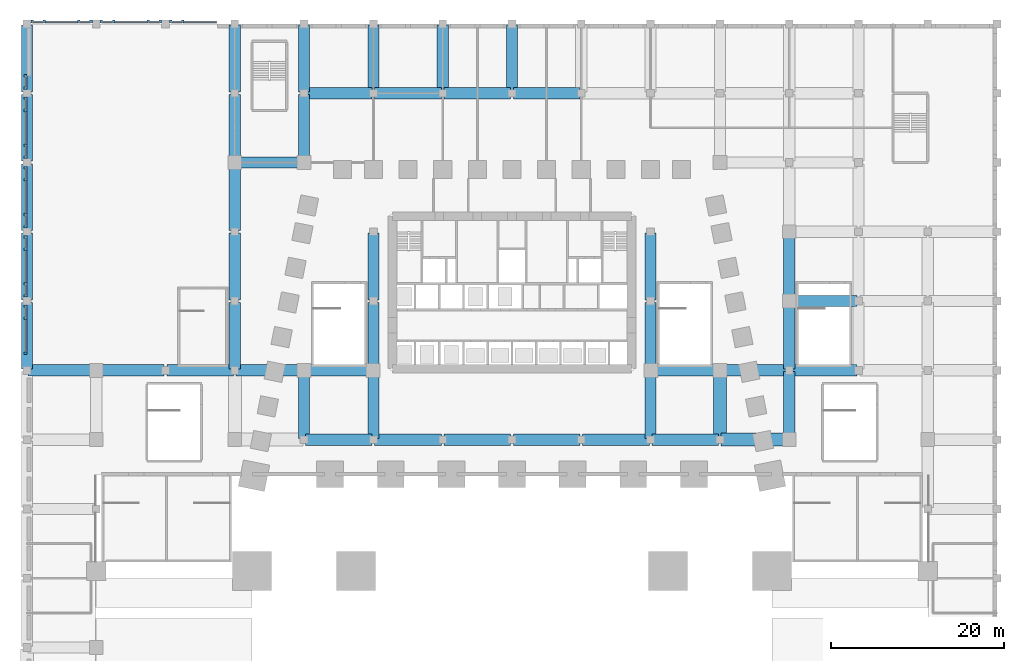
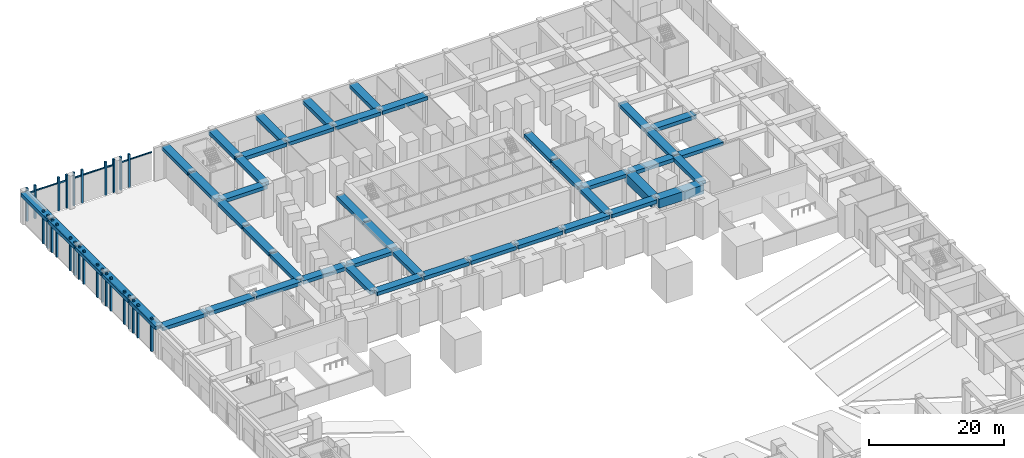
# One storey, part 2 of 28: 47 beams, 47 members, 8 elements without a shape of their own.
"""IFC4 building model written with IfcOpenShell, lengths in metres."""

import ifcopenshell
import ifcopenshell.guid

model = None  # the IFC model being written
_history = None  # IfcOwnerHistory: only IFC2X3 demands one
_inside = {}  # id of a spatial element -> (the spatial element, [elements in it])
_under = {}  # id of a project, library or spatial element -> (it, [spatial elements below it])
_declared = {}  # id of a project -> (the project, [libraries it declares])
_typed = {}  # id of a type object -> (the type object, [elements of that type])
_made_of = {}  # id of a material, layer set ... -> (it, [elements and type objects made of it])


def new_model(schema):
    """Start an empty IFC model of exactly this schema.

    Asked for "IFC4X3", IfcOpenShell would pick the latest addendum, in which some entities
    have other attributes; the version numbers below select the first issue.
    IFC2X3 requires an IfcOwnerHistory on every rooted entity: one is made here for all.
    """
    global model, _history
    if schema == "IFC4X3":
        model = ifcopenshell.file(schema_version=(4, 3, 0, 0))
    else:
        model = ifcopenshell.file(schema=schema)
    _inside.clear()
    _under.clear()
    _declared.clear()
    _typed.clear()
    _made_of.clear()
    _history = None
    if model.schema == "IFC2X3":
        org = make("IfcOrganization", Name="unknown")
        user = make(
            "IfcPersonAndOrganization",
            ThePerson=make("IfcPerson", FamilyName="unknown"),
            TheOrganization=org,
        )
        app = make(
            "IfcApplication",
            ApplicationDeveloper=org,
            Version="unknown",
            ApplicationFullName="unknown",
            ApplicationIdentifier="unknown",
        )
        _history = make(
            "IfcOwnerHistory",
            OwningUser=user,
            OwningApplication=app,
            ChangeAction="ADDED",
            CreationDate=0,
        )
    return model


def make(cls, **values):
    """One entity of the class cls with the attributes given. An attribute that is None is left unset."""
    return model.create_entity(
        cls, **{name: value for name, value in values.items() if value is not None}
    )


def rooted(cls, **values):
    """An entity with a GlobalId (a new one), such as an element, a storey or a relation."""
    return make(cls, GlobalId=ifcopenshell.guid.new(), OwnerHistory=_history, **values)


def si_unit(unit_type, name, prefix=None):
    """IfcSIUnit, for example si_unit("LENGTHUNIT", "METRE", prefix="MILLI")."""
    return make("IfcSIUnit", UnitType=unit_type, Prefix=prefix, Name=name)


def assignment(units):
    """IfcUnitAssignment: the units of a project."""
    return None if units is None else make("IfcUnitAssignment", Units=units)


def point(xyz):
    """IfcCartesianPoint."""
    return None if xyz is None else make("IfcCartesianPoint", Coordinates=xyz)


def direction(xyz):
    """IfcDirection."""
    return None if xyz is None else make("IfcDirection", DirectionRatios=xyz)


def frame(location, z_axis=None, x_axis=None):
    """IfcAxis2Placement3D, a coordinate frame: its origin and axes. An axis left out is left unset."""
    return make(
        "IfcAxis2Placement3D",
        Location=point(location),
        Axis=direction(z_axis),
        RefDirection=direction(x_axis),
    )


def frame_2d(location, x_axis=None):
    """IfcAxis2Placement2D, a coordinate frame in the plane: its origin and x axis."""
    return make(
        "IfcAxis2Placement2D", Location=point(location), RefDirection=direction(x_axis)
    )


def origin():
    """The frame at (0, 0, 0) with its axes left unset."""
    return frame((0.0, 0.0, 0.0))


def origin_2d():
    """The frame at (0, 0) in the plane with its x axis left unset."""
    return frame_2d((0.0, 0.0))


def place(relative_to, where):
    """IfcLocalPlacement: puts the frame where relative to a parent placement (None: the world)."""
    return make(
        "IfcLocalPlacement", PlacementRelTo=relative_to, RelativePlacement=where
    )


def context(
    kind, dimensions, precision=None, world=None, true_north=None, identifier=None
):
    """IfcGeometricRepresentationContext, for example the 3D "Model" context."""
    return make(
        "IfcGeometricRepresentationContext",
        ContextIdentifier=identifier,
        ContextType=kind,
        CoordinateSpaceDimension=dimensions,
        Precision=precision,
        WorldCoordinateSystem=world,
        TrueNorth=true_north,
    )


def subcontext(parent, identifier, kind, view, scale=None):
    """IfcGeometricRepresentationSubContext, for example "Body" below "Model"."""
    return make(
        "IfcGeometricRepresentationSubContext",
        ContextIdentifier=identifier,
        ContextType=kind,
        ParentContext=parent,
        TargetScale=scale,
        TargetView=view,
    )


def project(units=None, contexts=None):
    """IfcProject with its units and contexts."""
    return rooted(
        "IfcProject",
        Name="project",
        RepresentationContexts=contexts,
        UnitsInContext=assignment(units),
    )


def spatial(cls, under=None, at=None, **own):
    """A site, building, storey or space (cls), placed at a placement, below another one or the project."""
    s = rooted(cls, ObjectPlacement=at, **own)
    if under is not None:
        _under.setdefault(under.id(), (under, []))[1].append(s)
    return s


def profile(cls, at=None, kind="AREA", **sizes):
    """A parametric profile (cls). Its sizes go by their IFC names, for example OverallWidth=200.0."""
    return make(cls, ProfileType=kind, Position=at, **sizes)


def rectangle(**sizes):
    """IfcRectangleProfileDef."""
    return profile("IfcRectangleProfileDef", **sizes)


def extrude(swept, where, along, depth):
    """IfcExtrudedAreaSolid: the profile swept, set in the frame where, extruded along a direction by depth."""
    return make(
        "IfcExtrudedAreaSolid",
        SweptArea=swept,
        Position=where,
        ExtrudedDirection=direction(along),
        Depth=depth,
    )


def shape(context_of_items, identifier, shape_type, items):
    """IfcShapeRepresentation: the items that make up one representation, for example the "Body"."""
    return make(
        "IfcShapeRepresentation",
        ContextOfItems=context_of_items,
        RepresentationIdentifier=identifier,
        RepresentationType=shape_type,
        Items=items,
    )


def material(Name=None, Category=None):
    """IfcMaterial."""
    return make("IfcMaterial", Name=Name, Category=Category)


def material_profile(
    of_material, cross_section, Name=None, Category=None, Priority=None
):
    """IfcMaterialProfile: a cross section and its material."""
    return make(
        "IfcMaterialProfile",
        Name=Name,
        Material=of_material,
        Profile=cross_section,
        Priority=Priority,
        Category=Category,
    )


def profile_set(profiles, Name=None, composite=None):
    """IfcMaterialProfileSet."""
    return make(
        "IfcMaterialProfileSet",
        Name=Name,
        MaterialProfiles=profiles,
        CompositeProfile=composite,
    )


def made_of(thing, what):
    """Note that an element or type object is made of a material, layer set ...; save() writes the relation."""
    if what is not None:
        _made_of.setdefault(what.id(), (what, []))[1].append(thing)
    return thing


def type_object(cls, material=None, **own):
    """A type object (cls), such as IfcWallType, which elements share."""
    return made_of(rooted(cls, **own), material)


def element(
    cls,
    number,
    at=None,
    inside=None,
    cuts=None,
    type_object=None,
    material=None,
    context=None,
    identifier="Body",
    shape_type=None,
    held_by="IfcProductDefinitionShape",
    body=None,
    shapes=None,
    **own,
):
    """One element of the class cls, such as IfcWall. Its Tag is "e" and its number.

    at: its placement. inside: the storey or other place that contains it. cuts: it is an
    opening in that element (IfcRelVoidsElement). A single representation is given by context,
    identifier, shape_type and body (its items); several are given by shapes. held_by: the class
    of the entity that holds the representations. save() writes the other relations.
    """
    e = rooted(cls, Tag="e%d" % number, ObjectPlacement=at, **own)
    if body is not None:
        shapes = [shape(context, identifier, shape_type, body)]
    if shapes is not None:
        e.Representation = make(held_by, Representations=shapes)
    if inside is not None:
        _inside.setdefault(inside.id(), (inside, []))[1].append(e)
    if cuts is not None:
        rooted(
            "IfcRelVoidsElement", RelatingBuildingElement=cuts, RelatedOpeningElement=e
        )
    if type_object is not None:
        _typed.setdefault(type_object.id(), (type_object, []))[1].append(e)
    return made_of(e, material)


def aggregate(whole, parts):
    """IfcRelAggregates: a whole, such as a stair, and the parts it consists of."""
    return rooted("IfcRelAggregates", RelatingObject=whole, RelatedObjects=parts)


def save(model, path):
    """Write the relations noted so far, then the file.

    IfcRelAggregates (storeys below a building ...), IfcRelContainedInSpatialStructure (elements
    in a storey), IfcRelDefinesByType, IfcRelAssociatesMaterial and IfcRelDeclares: one each for
    every whole, place, type object, material and project.
    """
    for whole, parts in _under.values():
        aggregate(whole, parts)
    for where, things in _inside.values():
        rooted(
            "IfcRelContainedInSpatialStructure",
            RelatedElements=things,
            RelatingStructure=where,
        )
    for kind, things in _typed.values():
        rooted("IfcRelDefinesByType", RelatedObjects=things, RelatingType=kind)
    for what, things in _made_of.values():
        rooted("IfcRelAssociatesMaterial", RelatedObjects=things, RelatingMaterial=what)
    for by, libraries in _declared.values():
        rooted("IfcRelDeclares", RelatingContext=by, RelatedDefinitions=libraries)
    model.write(path)


model = new_model("IFC4")

# Units and contexts
model_context = context("Model", 3, precision=1e-05, world=origin(), true_north=direction((0.0, 1.0)))
body_context = subcontext(model_context, "Body", "Model", "MODEL_VIEW")
ifc_project = project(units=[si_unit("LENGTHUNIT", "METRE"), si_unit("AREAUNIT", "SQUARE_METRE"), si_unit("VOLUMEUNIT", "CUBIC_METRE"), si_unit("PLANEANGLEUNIT", "RADIAN"), si_unit("MASSUNIT", "GRAM", prefix="KILO")], contexts=[model_context])

# Site, building, storey
site_placement = place(None, origin())
site = spatial("IfcSite", under=ifc_project, at=site_placement, CompositionType="ELEMENT")
building_placement = place(site_placement, origin())
building = spatial("IfcBuilding", under=site, at=building_placement, Name="Isbrekke Arena Tower", CompositionType="ELEMENT")
storey_placement = place(building_placement, origin())
storey = spatial("IfcBuildingStorey", under=building, at=storey_placement, Name="L00", CompositionType="ELEMENT", Elevation=0.0)

# Curtain wall, members
ifc_material_1 = material(Name="Glazed aluminium curtain wall", Category="aluminium")
curtain_wall_type = type_object("IfcCurtainWallType", Name="CWP ATRIUM CURTAIN WALL", PredefinedType="USERDEFINED", material=ifc_material_1)
curtain_wall_1_placement = place(storey_placement, origin())
curtain_wall_1 = element("IfcCurtainWall", 1, at=curtain_wall_1_placement, inside=storey, type_object=curtain_wall_type, Name="CWP curtain wall L00-PW", ObjectType="ATRIUM CURTAIN WALL", PredefinedType="USERDEFINED")
ifc_material_2 = material(Name="Aluminium mullion, pale brick slip cladding", Category="masonry")
ifc_material_profile_1 = material_profile(ifc_material_2, rectangle(XDim=0.300048828125, YDim=0.35009765625, at=origin_2d()), Name="PIER 300X350")
ifc_profile_set_1 = profile_set([ifc_material_profile_1], Name="Aluminium mullion, pale brick slip cladding")
member_type_1 = type_object("IfcMemberType", Name="CWP-M PIER MULLION 300 x 350", PredefinedType="MULLION", material=ifc_profile_set_1)
member_1_placement = place(storey_placement, frame((-56.175048828125, 40.0, 0.0), z_axis=(0.0, 0.0, 1.0), x_axis=(0.0, -1.0, 0.0)))
member_1 = element("IfcMember", 2, at=member_1_placement, type_object=member_type_1, Name="CWP-M mullion 1", PredefinedType="MULLION", context=body_context, shape_type="SweptSolid", body=[
    extrude(rectangle(XDim=0.300048828125, YDim=0.35009765625, at=origin_2d()), origin(), (0.0, 0.0, 1.0), 6.0),
])
member_2_placement = place(storey_placement, frame((-56.175048828125, 38.60009765625, 0.0), z_axis=(0.0, 0.0, 1.0), x_axis=(0.0, -1.0, 0.0)))
member_2 = element("IfcMember", 3, at=member_2_placement, type_object=member_type_1, Name="CWP-M mullion 2", PredefinedType="MULLION", context=body_context, shape_type="SweptSolid", body=[
    extrude(rectangle(XDim=0.300048828125, YDim=0.35009765625, at=origin_2d()), origin(), (0.0, 0.0, 1.0), 6.0),
])

curtain_wall_2_placement = place(storey_placement, origin())
curtain_wall_2 = element("IfcCurtainWall", 4, at=curtain_wall_2_placement, inside=storey, type_object=curtain_wall_type, Name="CWP curtain wall L00-PW2", ObjectType="ATRIUM CURTAIN WALL", PredefinedType="USERDEFINED")
member_3_placement = place(storey_placement, frame((-56.175048828125, 37.39990234375, 0.0), z_axis=(0.0, 0.0, 1.0), x_axis=(0.0, -1.0, 0.0)))
member_3 = element("IfcMember", 5, at=member_3_placement, type_object=member_type_1, Name="CWP-M mullion 1", PredefinedType="MULLION", context=body_context, shape_type="SweptSolid", body=[
    extrude(rectangle(XDim=0.300048828125, YDim=0.35009765625, at=origin_2d()), origin(), (0.0, 0.0, 1.0), 6.0),
])
member_4_placement = place(storey_placement, frame((-56.175048828125, 36.0, 0.0), z_axis=(0.0, 0.0, 1.0), x_axis=(0.0, -1.0, 0.0)))
member_4 = element("IfcMember", 6, at=member_4_placement, type_object=member_type_1, Name="CWP-M mullion 2", PredefinedType="MULLION", context=body_context, shape_type="SweptSolid", body=[
    extrude(rectangle(XDim=0.300048828125, YDim=0.35009765625, at=origin_2d()), origin(), (0.0, 0.0, 1.0), 6.0),
])
member_5_placement = place(storey_placement, frame((-56.175048828125, 32.0, 0.0), z_axis=(0.0, 0.0, 1.0), x_axis=(0.0, -1.0, 0.0)))
member_5 = element("IfcMember", 7, at=member_5_placement, type_object=member_type_1, Name="CWP-M mullion 3", PredefinedType="MULLION", context=body_context, shape_type="SweptSolid", body=[
    extrude(rectangle(XDim=0.300048828125, YDim=0.35009765625, at=origin_2d()), origin(), (0.0, 0.0, 1.0), 6.0),
])
member_6_placement = place(storey_placement, frame((-56.175048828125, 30.60009765625, 0.0), z_axis=(0.0, 0.0, 1.0), x_axis=(0.0, -1.0, 0.0)))
member_6 = element("IfcMember", 8, at=member_6_placement, type_object=member_type_1, Name="CWP-M mullion 4", PredefinedType="MULLION", context=body_context, shape_type="SweptSolid", body=[
    extrude(rectangle(XDim=0.300048828125, YDim=0.35009765625, at=origin_2d()), origin(), (0.0, 0.0, 1.0), 6.0),
])

curtain_wall_3_placement = place(storey_placement, origin())
curtain_wall_3 = element("IfcCurtainWall", 9, at=curtain_wall_3_placement, inside=storey, type_object=curtain_wall_type, Name="CWP curtain wall L00-PW3", ObjectType="ATRIUM CURTAIN WALL", PredefinedType="USERDEFINED")
member_7_placement = place(storey_placement, frame((-56.175048828125, 29.39990234375, 0.0), z_axis=(0.0, 0.0, 1.0), x_axis=(0.0, -1.0, 0.0)))
member_7 = element("IfcMember", 10, at=member_7_placement, type_object=member_type_1, Name="CWP-M mullion 1", PredefinedType="MULLION", context=body_context, shape_type="SweptSolid", body=[
    extrude(rectangle(XDim=0.300048828125, YDim=0.35009765625, at=origin_2d()), origin(), (0.0, 0.0, 1.0), 6.0),
])
member_8_placement = place(storey_placement, frame((-56.175048828125, 28.0, 0.0), z_axis=(0.0, 0.0, 1.0), x_axis=(0.0, -1.0, 0.0)))
member_8 = element("IfcMember", 11, at=member_8_placement, type_object=member_type_1, Name="CWP-M mullion 2", PredefinedType="MULLION", context=body_context, shape_type="SweptSolid", body=[
    extrude(rectangle(XDim=0.300048828125, YDim=0.35009765625, at=origin_2d()), origin(), (0.0, 0.0, 1.0), 6.0),
])
member_9_placement = place(storey_placement, frame((-56.175048828125, 24.0, 0.0), z_axis=(0.0, 0.0, 1.0), x_axis=(0.0, -1.0, 0.0)))
member_9 = element("IfcMember", 12, at=member_9_placement, type_object=member_type_1, Name="CWP-M mullion 3", PredefinedType="MULLION", context=body_context, shape_type="SweptSolid", body=[
    extrude(rectangle(XDim=0.300048828125, YDim=0.35009765625, at=origin_2d()), origin(), (0.0, 0.0, 1.0), 6.0),
])
member_10_placement = place(storey_placement, frame((-56.175048828125, 22.60009765625, 0.0), z_axis=(0.0, 0.0, 1.0), x_axis=(0.0, -1.0, 0.0)))
member_10 = element("IfcMember", 13, at=member_10_placement, type_object=member_type_1, Name="CWP-M mullion 4", PredefinedType="MULLION", context=body_context, shape_type="SweptSolid", body=[
    extrude(rectangle(XDim=0.300048828125, YDim=0.35009765625, at=origin_2d()), origin(), (0.0, 0.0, 1.0), 6.0),
])

curtain_wall_4_placement = place(storey_placement, origin())
curtain_wall_4 = element("IfcCurtainWall", 14, at=curtain_wall_4_placement, inside=storey, type_object=curtain_wall_type, Name="CWP curtain wall L00-PW4", ObjectType="ATRIUM CURTAIN WALL", PredefinedType="USERDEFINED")
member_11_placement = place(storey_placement, frame((-56.175048828125, 21.39990234375, 0.0), z_axis=(0.0, 0.0, 1.0), x_axis=(0.0, -1.0, 0.0)))
member_11 = element("IfcMember", 15, at=member_11_placement, type_object=member_type_1, Name="CWP-M mullion 1", PredefinedType="MULLION", context=body_context, shape_type="SweptSolid", body=[
    extrude(rectangle(XDim=0.300048828125, YDim=0.35009765625, at=origin_2d()), origin(), (0.0, 0.0, 1.0), 6.0),
])
member_12_placement = place(storey_placement, frame((-56.175048828125, 20.0, 0.0), z_axis=(0.0, 0.0, 1.0), x_axis=(0.0, -1.0, 0.0)))
member_12 = element("IfcMember", 16, at=member_12_placement, type_object=member_type_1, Name="CWP-M mullion 2", PredefinedType="MULLION", context=body_context, shape_type="SweptSolid", body=[
    extrude(rectangle(XDim=0.300048828125, YDim=0.35009765625, at=origin_2d()), origin(), (0.0, 0.0, 1.0), 6.0),
])
member_13_placement = place(storey_placement, frame((-56.175048828125, 16.0, 0.0), z_axis=(0.0, 0.0, 1.0), x_axis=(0.0, -1.0, 0.0)))
member_13 = element("IfcMember", 17, at=member_13_placement, type_object=member_type_1, Name="CWP-M mullion 3", PredefinedType="MULLION", context=body_context, shape_type="SweptSolid", body=[
    extrude(rectangle(XDim=0.300048828125, YDim=0.35009765625, at=origin_2d()), origin(), (0.0, 0.0, 1.0), 6.0),
])
member_14_placement = place(storey_placement, frame((-56.175048828125, 14.60009765625, 0.0), z_axis=(0.0, 0.0, 1.0), x_axis=(0.0, -1.0, 0.0)))
member_14 = element("IfcMember", 18, at=member_14_placement, type_object=member_type_1, Name="CWP-M mullion 4", PredefinedType="MULLION", context=body_context, shape_type="SweptSolid", body=[
    extrude(rectangle(XDim=0.300048828125, YDim=0.35009765625, at=origin_2d()), origin(), (0.0, 0.0, 1.0), 6.0),
])

curtain_wall_5_placement = place(storey_placement, origin())
curtain_wall_5 = element("IfcCurtainWall", 19, at=curtain_wall_5_placement, inside=storey, type_object=curtain_wall_type, Name="CWP curtain wall L00-PW5", ObjectType="ATRIUM CURTAIN WALL", PredefinedType="USERDEFINED")
member_15_placement = place(storey_placement, frame((-56.175048828125, 13.39990234375, 0.0), z_axis=(0.0, 0.0, 1.0), x_axis=(0.0, -1.0, 0.0)))
member_15 = element("IfcMember", 20, at=member_15_placement, type_object=member_type_1, Name="CWP-M mullion 1", PredefinedType="MULLION", context=body_context, shape_type="SweptSolid", body=[
    extrude(rectangle(XDim=0.300048828125, YDim=0.35009765625, at=origin_2d()), origin(), (0.0, 0.0, 1.0), 6.0),
])
member_16_placement = place(storey_placement, frame((-56.175048828125, 12.0, 0.0), z_axis=(0.0, 0.0, 1.0), x_axis=(0.0, -1.0, 0.0)))
member_16 = element("IfcMember", 21, at=member_16_placement, type_object=member_type_1, Name="CWP-M mullion 2", PredefinedType="MULLION", context=body_context, shape_type="SweptSolid", body=[
    extrude(rectangle(XDim=0.300048828125, YDim=0.35009765625, at=origin_2d()), origin(), (0.0, 0.0, 1.0), 6.0),
])
member_17_placement = place(storey_placement, frame((-56.175048828125, 8.0, 0.0), z_axis=(0.0, 0.0, 1.0), x_axis=(0.0, -1.0, 0.0)))
member_17 = element("IfcMember", 22, at=member_17_placement, type_object=member_type_1, Name="CWP-M mullion 3", PredefinedType="MULLION", context=body_context, shape_type="SweptSolid", body=[
    extrude(rectangle(XDim=0.300048828125, YDim=0.35009765625, at=origin_2d()), origin(), (0.0, 0.0, 1.0), 6.0),
])

curtain_wall_6_placement = place(storey_placement, origin())
curtain_wall_6 = element("IfcCurtainWall", 23, at=curtain_wall_6_placement, inside=storey, type_object=curtain_wall_type, Name="CWP curtain wall L00-PN", ObjectType="ATRIUM CURTAIN WALL", PredefinedType="USERDEFINED")
member_18_placement = place(storey_placement, frame((-38.0, 46.25, 0.0), z_axis=(0.0, 0.0, 1.0), x_axis=(-1.0, 0.0, 0.0)))
member_18 = element("IfcMember", 24, at=member_18_placement, type_object=member_type_1, Name="CWP-M mullion 1", PredefinedType="MULLION", context=body_context, shape_type="SweptSolid", body=[
    extrude(rectangle(XDim=0.300048828125, YDim=0.35009765625, at=origin_2d()), origin(), (0.0, 0.0, 1.0), 6.0),
])
member_19_placement = place(storey_placement, frame((-39.39990234375, 46.25, 0.0), z_axis=(0.0, 0.0, 1.0), x_axis=(-1.0, 0.0, 0.0)))
member_19 = element("IfcMember", 25, at=member_19_placement, type_object=member_type_1, Name="CWP-M mullion 2", PredefinedType="MULLION", context=body_context, shape_type="SweptSolid", body=[
    extrude(rectangle(XDim=0.300048828125, YDim=0.35009765625, at=origin_2d()), origin(), (0.0, 0.0, 1.0), 6.0),
])

curtain_wall_7_placement = place(storey_placement, origin())
curtain_wall_7 = element("IfcCurtainWall", 26, at=curtain_wall_7_placement, inside=storey, type_object=curtain_wall_type, Name="CWP curtain wall L00-PN2", ObjectType="ATRIUM CURTAIN WALL", PredefinedType="USERDEFINED")
member_20_placement = place(storey_placement, frame((-40.60009765625, 46.25, 0.0), z_axis=(0.0, 0.0, 1.0), x_axis=(-1.0, 0.0, 0.0)))
member_20 = element("IfcMember", 27, at=member_20_placement, type_object=member_type_1, Name="CWP-M mullion 1", PredefinedType="MULLION", context=body_context, shape_type="SweptSolid", body=[
    extrude(rectangle(XDim=0.300048828125, YDim=0.35009765625, at=origin_2d()), origin(), (0.0, 0.0, 1.0), 6.0),
])
member_21_placement = place(storey_placement, frame((-42.0, 46.25, 0.0), z_axis=(0.0, 0.0, 1.0), x_axis=(-1.0, 0.0, 0.0)))
member_21 = element("IfcMember", 28, at=member_21_placement, type_object=member_type_1, Name="CWP-M mullion 2", PredefinedType="MULLION", context=body_context, shape_type="SweptSolid", body=[
    extrude(rectangle(XDim=0.300048828125, YDim=0.35009765625, at=origin_2d()), origin(), (0.0, 0.0, 1.0), 6.0),
])
member_22_placement = place(storey_placement, frame((-46.0, 46.25, 0.0), z_axis=(0.0, 0.0, 1.0), x_axis=(-1.0, 0.0, 0.0)))
member_22 = element("IfcMember", 29, at=member_22_placement, type_object=member_type_1, Name="CWP-M mullion 3", PredefinedType="MULLION", context=body_context, shape_type="SweptSolid", body=[
    extrude(rectangle(XDim=0.300048828125, YDim=0.35009765625, at=origin_2d()), origin(), (0.0, 0.0, 1.0), 6.0),
])
member_23_placement = place(storey_placement, frame((-47.39990234375, 46.25, 0.0), z_axis=(0.0, 0.0, 1.0), x_axis=(-1.0, 0.0, 0.0)))
member_23 = element("IfcMember", 30, at=member_23_placement, type_object=member_type_1, Name="CWP-M mullion 4", PredefinedType="MULLION", context=body_context, shape_type="SweptSolid", body=[
    extrude(rectangle(XDim=0.300048828125, YDim=0.35009765625, at=origin_2d()), origin(), (0.0, 0.0, 1.0), 6.0),
])

curtain_wall_8_placement = place(storey_placement, origin())
curtain_wall_8 = element("IfcCurtainWall", 31, at=curtain_wall_8_placement, inside=storey, type_object=curtain_wall_type, Name="CWP curtain wall L00-PN3", ObjectType="ATRIUM CURTAIN WALL", PredefinedType="USERDEFINED")
member_24_placement = place(storey_placement, frame((-48.60009765625, 46.25, 0.0), z_axis=(0.0, 0.0, 1.0), x_axis=(-1.0, 0.0, 0.0)))
member_24 = element("IfcMember", 32, at=member_24_placement, type_object=member_type_1, Name="CWP-M mullion 1", PredefinedType="MULLION", context=body_context, shape_type="SweptSolid", body=[
    extrude(rectangle(XDim=0.300048828125, YDim=0.35009765625, at=origin_2d()), origin(), (0.0, 0.0, 1.0), 6.0),
])
member_25_placement = place(storey_placement, frame((-50.0, 46.25, 0.0), z_axis=(0.0, 0.0, 1.0), x_axis=(-1.0, 0.0, 0.0)))
member_25 = element("IfcMember", 33, at=member_25_placement, type_object=member_type_1, Name="CWP-M mullion 2", PredefinedType="MULLION", context=body_context, shape_type="SweptSolid", body=[
    extrude(rectangle(XDim=0.300048828125, YDim=0.35009765625, at=origin_2d()), origin(), (0.0, 0.0, 1.0), 6.0),
])
member_26_placement = place(storey_placement, frame((-54.0, 46.25, 0.0), z_axis=(0.0, 0.0, 1.0), x_axis=(-1.0, 0.0, 0.0)))
member_26 = element("IfcMember", 34, at=member_26_placement, type_object=member_type_1, Name="CWP-M mullion 3", PredefinedType="MULLION", context=body_context, shape_type="SweptSolid", body=[
    extrude(rectangle(XDim=0.300048828125, YDim=0.35009765625, at=origin_2d()), origin(), (0.0, 0.0, 1.0), 6.0),
])
member_27_placement = place(storey_placement, frame((-55.402099609375, 46.25, 0.0), z_axis=(0.0, 0.0, 1.0), x_axis=(-1.0, 0.0, 0.0)))
member_27 = element("IfcMember", 35, at=member_27_placement, type_object=member_type_1, Name="CWP-M mullion 4", PredefinedType="MULLION", context=body_context, shape_type="SweptSolid", body=[
    extrude(rectangle(XDim=0.300048828125, YDim=0.35009765625, at=origin_2d()), origin(), (0.0, 0.0, 1.0), 6.0),
])

# Member
ifc_material_3 = material(Name="Aluminium transom", Category="aluminium")
ifc_material_profile_2 = material_profile(ifc_material_3, rectangle(XDim=0.1201171875, YDim=0.199951171875, at=origin_2d()), Name="TRANSOM 120X200")
ifc_profile_set_2 = profile_set([ifc_material_profile_2], Name="Aluminium transom")
member_type_2 = type_object("IfcMemberType", Name="CWP-T TRANSOM 120 x 200", PredefinedType="USERDEFINED", material=ifc_profile_set_2)
member_28_placement = place(storey_placement, frame((-56.10009765625, 39.85009765625, 5.0), z_axis=(0.0, -1.0, 0.0), x_axis=(1.0, 0.0, 0.0)))
member_28 = element("IfcMember", 36, at=member_28_placement, type_object=member_type_2, Name="CWP-T transom 1", ObjectType="TRANSOM", PredefinedType="USERDEFINED", context=body_context, shape_type="SweptSolid", body=[
    extrude(rectangle(XDim=0.1201171875, YDim=0.199951171875, at=origin_2d()), origin(), (0.0, 0.0, 1.0), 1.10009765625),
])

aggregate(curtain_wall_1, [member_1, member_2, member_28])

member_29_placement = place(storey_placement, frame((-56.10009765625, 37.25, 5.0), z_axis=(0.0, -1.0, 0.0), x_axis=(1.0, 0.0, 0.0)))
member_29 = element("IfcMember", 37, at=member_29_placement, type_object=member_type_2, Name="CWP-T transom 1", ObjectType="TRANSOM", PredefinedType="USERDEFINED", context=body_context, shape_type="SweptSolid", body=[
    extrude(rectangle(XDim=0.1201171875, YDim=0.199951171875, at=origin_2d()), origin(), (0.0, 0.0, 1.0), 1.10009765625),
])

member_30_placement = place(storey_placement, frame((-56.10009765625, 35.85009765625, 5.0), z_axis=(0.0, -1.0, 0.0), x_axis=(1.0, 0.0, 0.0)))
member_30 = element("IfcMember", 38, at=member_30_placement, type_object=member_type_2, Name="CWP-T transom 2", ObjectType="TRANSOM", PredefinedType="USERDEFINED", context=body_context, shape_type="SweptSolid", body=[
    extrude(rectangle(XDim=0.1201171875, YDim=0.199951171875, at=origin_2d()), origin(), (0.0, 0.0, 1.0), 3.7001953125),
])

member_31_placement = place(storey_placement, frame((-56.10009765625, 31.85009765625, 5.0), z_axis=(0.0, -1.0, 0.0), x_axis=(1.0, 0.0, 0.0)))
member_31 = element("IfcMember", 39, at=member_31_placement, type_object=member_type_2, Name="CWP-T transom 3", ObjectType="TRANSOM", PredefinedType="USERDEFINED", context=body_context, shape_type="SweptSolid", body=[
    extrude(rectangle(XDim=0.1201171875, YDim=0.199951171875, at=origin_2d()), origin(), (0.0, 0.0, 1.0), 1.10009765625),
])

aggregate(curtain_wall_2, [member_3, member_4, member_5, member_6, member_29, member_30, member_31])

member_32_placement = place(storey_placement, frame((-56.10009765625, 29.25, 5.0), z_axis=(0.0, -1.0, 0.0), x_axis=(1.0, 0.0, 0.0)))
member_32 = element("IfcMember", 40, at=member_32_placement, type_object=member_type_2, Name="CWP-T transom 1", ObjectType="TRANSOM", PredefinedType="USERDEFINED", context=body_context, shape_type="SweptSolid", body=[
    extrude(rectangle(XDim=0.1201171875, YDim=0.199951171875, at=origin_2d()), origin(), (0.0, 0.0, 1.0), 1.10009765625),
])

member_33_placement = place(storey_placement, frame((-56.10009765625, 27.85009765625, 5.0), z_axis=(0.0, -1.0, 0.0), x_axis=(1.0, 0.0, 0.0)))
member_33 = element("IfcMember", 41, at=member_33_placement, type_object=member_type_2, Name="CWP-T transom 2", ObjectType="TRANSOM", PredefinedType="USERDEFINED", context=body_context, shape_type="SweptSolid", body=[
    extrude(rectangle(XDim=0.1201171875, YDim=0.199951171875, at=origin_2d()), origin(), (0.0, 0.0, 1.0), 3.7001953125),
])

member_34_placement = place(storey_placement, frame((-56.10009765625, 23.85009765625, 5.0), z_axis=(0.0, -1.0, 0.0), x_axis=(1.0, 0.0, 0.0)))
member_34 = element("IfcMember", 42, at=member_34_placement, type_object=member_type_2, Name="CWP-T transom 3", ObjectType="TRANSOM", PredefinedType="USERDEFINED", context=body_context, shape_type="SweptSolid", body=[
    extrude(rectangle(XDim=0.1201171875, YDim=0.199951171875, at=origin_2d()), origin(), (0.0, 0.0, 1.0), 1.10009765625),
])

aggregate(curtain_wall_3, [member_7, member_8, member_9, member_10, member_32, member_33, member_34])

member_35_placement = place(storey_placement, frame((-56.10009765625, 21.25, 5.0), z_axis=(0.0, -1.0, 0.0), x_axis=(1.0, 0.0, 0.0)))
member_35 = element("IfcMember", 43, at=member_35_placement, type_object=member_type_2, Name="CWP-T transom 1", ObjectType="TRANSOM", PredefinedType="USERDEFINED", context=body_context, shape_type="SweptSolid", body=[
    extrude(rectangle(XDim=0.1201171875, YDim=0.199951171875, at=origin_2d()), origin(), (0.0, 0.0, 1.0), 1.10009765625),
])

member_36_placement = place(storey_placement, frame((-56.10009765625, 19.85009765625, 5.0), z_axis=(0.0, -1.0, 0.0), x_axis=(1.0, 0.0, 0.0)))
member_36 = element("IfcMember", 44, at=member_36_placement, type_object=member_type_2, Name="CWP-T transom 2", ObjectType="TRANSOM", PredefinedType="USERDEFINED", context=body_context, shape_type="SweptSolid", body=[
    extrude(rectangle(XDim=0.1201171875, YDim=0.199951171875, at=origin_2d()), origin(), (0.0, 0.0, 1.0), 3.7001953125),
])

member_37_placement = place(storey_placement, frame((-56.10009765625, 15.85009765625, 5.0), z_axis=(0.0, -1.0, 0.0), x_axis=(1.0, 0.0, 0.0)))
member_37 = element("IfcMember", 45, at=member_37_placement, type_object=member_type_2, Name="CWP-T transom 3", ObjectType="TRANSOM", PredefinedType="USERDEFINED", context=body_context, shape_type="SweptSolid", body=[
    extrude(rectangle(XDim=0.1201171875, YDim=0.199951171875, at=origin_2d()), origin(), (0.0, 0.0, 1.0), 1.10009765625),
])

aggregate(curtain_wall_4, [member_11, member_12, member_13, member_14, member_35, member_36, member_37])

member_38_placement = place(storey_placement, frame((-56.10009765625, 13.25, 5.0), z_axis=(0.0, -1.0, 0.0), x_axis=(1.0, 0.0, 0.0)))
member_38 = element("IfcMember", 46, at=member_38_placement, type_object=member_type_2, Name="CWP-T transom 1", ObjectType="TRANSOM", PredefinedType="USERDEFINED", context=body_context, shape_type="SweptSolid", body=[
    extrude(rectangle(XDim=0.1201171875, YDim=0.199951171875, at=origin_2d()), origin(), (0.0, 0.0, 1.0), 1.10009765625),
])

member_39_placement = place(storey_placement, frame((-56.10009765625, 11.85009765625, 5.0), z_axis=(0.0, -1.0, 0.0), x_axis=(1.0, 0.0, 0.0)))
member_39 = element("IfcMember", 47, at=member_39_placement, type_object=member_type_2, Name="CWP-T transom 2", ObjectType="TRANSOM", PredefinedType="USERDEFINED", context=body_context, shape_type="SweptSolid", body=[
    extrude(rectangle(XDim=0.1201171875, YDim=0.199951171875, at=origin_2d()), origin(), (0.0, 0.0, 1.0), 3.7001953125),
])

aggregate(curtain_wall_5, [member_15, member_16, member_17, member_38, member_39])

member_40_placement = place(storey_placement, frame((-34.14990234375, 46.175048828125, 5.0), z_axis=(-1.0, 0.0, 0.0), x_axis=(0.0, -1.0, 0.0)))
member_40 = element("IfcMember", 48, at=member_40_placement, type_object=member_type_2, Name="CWP-T transom 1", ObjectType="TRANSOM", PredefinedType="USERDEFINED", context=body_context, shape_type="SweptSolid", body=[
    extrude(rectangle(XDim=0.1201171875, YDim=0.199951171875, at=origin_2d()), origin(), (0.0, 0.0, 1.0), 3.7001953125),
])

member_41_placement = place(storey_placement, frame((-38.14990234375, 46.175048828125, 5.0), z_axis=(-1.0, 0.0, 0.0), x_axis=(0.0, -1.0, 0.0)))
member_41 = element("IfcMember", 49, at=member_41_placement, type_object=member_type_2, Name="CWP-T transom 2", ObjectType="TRANSOM", PredefinedType="USERDEFINED", context=body_context, shape_type="SweptSolid", body=[
    extrude(rectangle(XDim=0.1201171875, YDim=0.199951171875, at=origin_2d()), origin(), (0.0, 0.0, 1.0), 1.10009765625),
])

aggregate(curtain_wall_6, [member_18, member_19, member_40, member_41])

member_42_placement = place(storey_placement, frame((-40.75, 46.175048828125, 5.0), z_axis=(-1.0, 0.0, 0.0), x_axis=(0.0, -1.0, 0.0)))
member_42 = element("IfcMember", 50, at=member_42_placement, type_object=member_type_2, Name="CWP-T transom 1", ObjectType="TRANSOM", PredefinedType="USERDEFINED", context=body_context, shape_type="SweptSolid", body=[
    extrude(rectangle(XDim=0.1201171875, YDim=0.199951171875, at=origin_2d()), origin(), (0.0, 0.0, 1.0), 1.10009765625),
])

member_43_placement = place(storey_placement, frame((-42.14990234375, 46.175048828125, 5.0), z_axis=(-1.0, 0.0, 0.0), x_axis=(0.0, -1.0, 0.0)))
member_43 = element("IfcMember", 51, at=member_43_placement, type_object=member_type_2, Name="CWP-T transom 2", ObjectType="TRANSOM", PredefinedType="USERDEFINED", context=body_context, shape_type="SweptSolid", body=[
    extrude(rectangle(XDim=0.1201171875, YDim=0.199951171875, at=origin_2d()), origin(), (0.0, 0.0, 1.0), 3.7001953125),
])

member_44_placement = place(storey_placement, frame((-46.14990234375, 46.175048828125, 5.0), z_axis=(-1.0, 0.0, 0.0), x_axis=(0.0, -1.0, 0.0)))
member_44 = element("IfcMember", 52, at=member_44_placement, type_object=member_type_2, Name="CWP-T transom 3", ObjectType="TRANSOM", PredefinedType="USERDEFINED", context=body_context, shape_type="SweptSolid", body=[
    extrude(rectangle(XDim=0.1201171875, YDim=0.199951171875, at=origin_2d()), origin(), (0.0, 0.0, 1.0), 1.10009765625),
])

aggregate(curtain_wall_7, [member_20, member_21, member_22, member_23, member_42, member_43, member_44])

member_45_placement = place(storey_placement, frame((-48.75, 46.175048828125, 5.0), z_axis=(-1.0, 0.0, 0.0), x_axis=(0.0, -1.0, 0.0)))
member_45 = element("IfcMember", 53, at=member_45_placement, type_object=member_type_2, Name="CWP-T transom 1", ObjectType="TRANSOM", PredefinedType="USERDEFINED", context=body_context, shape_type="SweptSolid", body=[
    extrude(rectangle(XDim=0.1201171875, YDim=0.199951171875, at=origin_2d()), origin(), (0.0, 0.0, 1.0), 1.10009765625),
])

member_46_placement = place(storey_placement, frame((-50.14990234375, 46.175048828125, 5.0), z_axis=(-1.0, 0.0, 0.0), x_axis=(0.0, -1.0, 0.0)))
member_46 = element("IfcMember", 54, at=member_46_placement, type_object=member_type_2, Name="CWP-T transom 2", ObjectType="TRANSOM", PredefinedType="USERDEFINED", context=body_context, shape_type="SweptSolid", body=[
    extrude(rectangle(XDim=0.1201171875, YDim=0.199951171875, at=origin_2d()), origin(), (0.0, 0.0, 1.0), 3.7001953125),
])

member_47_placement = place(storey_placement, frame((-54.14990234375, 46.175048828125, 5.0), z_axis=(-1.0, 0.0, 0.0), x_axis=(0.0, -1.0, 0.0)))
member_47 = element("IfcMember", 55, at=member_47_placement, type_object=member_type_2, Name="CWP-T transom 3", ObjectType="TRANSOM", PredefinedType="USERDEFINED", context=body_context, shape_type="SweptSolid", body=[
    extrude(rectangle(XDim=0.1201171875, YDim=0.199951171875, at=origin_2d()), origin(), (0.0, 0.0, 1.0), 1.10205078125),
])

aggregate(curtain_wall_8, [member_24, member_25, member_26, member_27, member_45, member_46, member_47])

# Beams
ifc_material_4 = material(Name="Concrete B45 (C45/55)", Category="concrete")
ifc_material_profile_3 = material_profile(ifc_material_4, rectangle(XDim=1.300048828125, YDim=0.64990234375, at=origin_2d()), Name="RC 1300x650")
ifc_profile_set_3 = profile_set([ifc_material_profile_3], Name="Concrete B45 (C45/55)")
beam_type_1 = type_object("IfcBeamType", Name="PB1 RC 1300 x 650", PredefinedType="BEAM", material=ifc_profile_set_3)
for number, where, z_axis, x_axis, name in (
    (56, (-23.85009765625, -2.0, 5.375), (1.0, 0.0, 0.0), (0.0, 1.0, 0.0), "PB1 podium beam J5 L01"),
    (57, (-24.0, -1.85009765625, 5.375), (0.0, 1.0, 0.0), (-1.0, 0.0, 0.0), "PB1 podium beam J5 L01"),
    (58, (-15.85009765625, -2.0, 5.375), (1.0, 0.0, 0.0), (0.0, 1.0, 0.0), "PB1 podium beam J6 L01"),
    (59, (-16.0, -1.85009765625, 5.375), (0.0, 1.0, 0.0), (-1.0, 0.0, 0.0), "PB1 podium beam J6 L01"),
    (60, (-7.85009765625, -2.0, 5.375), (1.0, 0.0, 0.0), (0.0, 1.0, 0.0), "PB1 podium beam J7 L01"),
    (61, (0.14990234375, -2.0, 5.375), (1.0, 0.0, 0.0), (0.0, 1.0, 0.0), "PB1 podium beam J8 L01"),
    (62, (8.14990234375, -2.0, 5.375), (1.0, 0.0, 0.0), (0.0, 1.0, 0.0), "PB1 podium beam J9 L01"),
    (63, (16.14990234375, -2.0, 5.375), (1.0, 0.0, 0.0), (0.0, 1.0, 0.0), "PB1 podium beam J10 L01"),
    (64, (16.0, -1.85009765625, 5.375), (0.0, 1.0, 0.0), (-1.0, 0.0, 0.0), "PB1 podium beam J10 L01"),
    (65, (32.0, -1.85009765625, 5.375), (0.0, 1.0, 0.0), (-1.0, 0.0, 0.0), "PB1 podium beam J12 L01"),
    (66, (-55.85009765625, 6.0, 5.375), (1.0, 0.0, 0.0), (0.0, 1.0, 0.0), "PB1 podium beam K1 L01"),
    (67, (-56.0, 6.14990234375, 5.375), (0.0, 1.0, 0.0), (-1.0, 0.0, 0.0), "PB1 podium beam K1 L01"),
    (68, (-47.85009765625, 6.0, 5.375), (1.0, 0.0, 0.0), (0.0, 1.0, 0.0), "PB1 podium beam K2 L01"),
    (69, (-39.85009765625, 6.0, 5.375), (1.0, 0.0, 0.0), (0.0, 1.0, 0.0), "PB1 podium beam K3 L01"),
    (70, (-31.85009765625, 6.0, 5.375), (1.0, 0.0, 0.0), (0.0, 1.0, 0.0), "PB1 podium beam K4 L01"),
    (71, (-32.0, 6.14990234375, 5.375), (0.0, 1.0, 0.0), (-1.0, 0.0, 0.0), "PB1 podium beam K4 L01"),
    (72, (-23.85009765625, 6.0, 5.375), (1.0, 0.0, 0.0), (0.0, 1.0, 0.0), "PB1 podium beam K5 L01"),
    (73, (-16.0, 6.14990234375, 5.375), (0.0, 1.0, 0.0), (-1.0, 0.0, 0.0), "PB1 podium beam K6 L01"),
    (74, (16.14990234375, 6.0, 5.375), (1.0, 0.0, 0.0), (0.0, 1.0, 0.0), "PB1 podium beam K10 L01"),
    (75, (16.0, 6.14990234375, 5.375), (0.0, 1.0, 0.0), (-1.0, 0.0, 0.0), "PB1 podium beam K10 L01"),
    (76, (24.14990234375, 6.0, 5.375), (1.0, 0.0, 0.0), (0.0, 1.0, 0.0), "PB1 podium beam K11 L01"),
    (77, (32.14990234375, 6.0, 5.375), (1.0, 0.0, 0.0), (0.0, 1.0, 0.0), "PB1 podium beam K12 L01"),
    (78, (32.0, 6.14990234375, 5.375), (0.0, 1.0, 0.0), (-1.0, 0.0, 0.0), "PB1 podium beam K12 L01"),
    (79, (-56.0, 14.14990234375, 5.375), (0.0, 1.0, 0.0), (-1.0, 0.0, 0.0), "PB1 podium beam L1 L01"),
    (80, (-32.0, 14.14990234375, 5.375), (0.0, 1.0, 0.0), (-1.0, 0.0, 0.0), "PB1 podium beam L4 L01"),
    (81, (-16.0, 14.14990234375, 5.375), (0.0, 1.0, 0.0), (-1.0, 0.0, 0.0), "PB1 podium beam L6 L01"),
    (82, (16.0, 14.14990234375, 5.375), (0.0, 1.0, 0.0), (-1.0, 0.0, 0.0), "PB1 podium beam L10 L01"),
    (83, (32.14990234375, 14.0, 5.375), (1.0, 0.0, 0.0), (0.0, 1.0, 0.0), "PB1 podium beam L12 L01"),
    (84, (32.0, 14.14990234375, 5.375), (0.0, 1.0, 0.0), (-1.0, 0.0, 0.0), "PB1 podium beam L12 L01"),
    (85, (-56.0, 22.14990234375, 5.375), (0.0, 1.0, 0.0), (-1.0, 0.0, 0.0), "PB1 podium beam M1 L01"),
    (86, (-32.0, 22.14990234375, 5.375), (0.0, 1.0, 0.0), (-1.0, 0.0, 0.0), "PB1 podium beam M4 L01"),
    (87, (-56.0, 30.14990234375, 5.375), (0.0, 1.0, 0.0), (-1.0, 0.0, 0.0), "PB1 podium beam N1 L01"),
    (88, (-31.85009765625, 30.0, 5.375), (1.0, 0.0, 0.0), (0.0, 1.0, 0.0), "PB1 podium beam N4 L01"),
    (89, (-32.0, 30.14990234375, 5.375), (0.0, 1.0, 0.0), (-1.0, 0.0, 0.0), "PB1 podium beam N4 L01"),
    (90, (-24.0, 30.14990234375, 5.375), (0.0, 1.0, 0.0), (-1.0, 0.0, 0.0), "PB1 podium beam N5 L01"),
    (91, (-56.0, 38.14990234375, 5.375), (0.0, 1.0, 0.0), (-1.0, 0.0, 0.0), "PB1 podium beam O1 L01"),
    (92, (-32.0, 38.14990234375, 5.375), (0.0, 1.0, 0.0), (-1.0, 0.0, 0.0), "PB1 podium beam O4 L01"),
    (93, (-23.85009765625, 38.0, 5.375), (1.0, 0.0, 0.0), (0.0, 1.0, 0.0), "PB1 podium beam O5 L01"),
    (94, (-24.0, 38.14990234375, 5.375), (0.0, 1.0, 0.0), (-1.0, 0.0, 0.0), "PB1 podium beam O5 L01"),
    (95, (-15.85009765625, 38.0, 5.375), (1.0, 0.0, 0.0), (0.0, 1.0, 0.0), "PB1 podium beam O6 L01"),
    (96, (-16.0, 38.14990234375, 5.375), (0.0, 1.0, 0.0), (-1.0, 0.0, 0.0), "PB1 podium beam O6 L01"),
    (97, (-7.85009765625, 38.0, 5.375), (1.0, 0.0, 0.0), (0.0, 1.0, 0.0), "PB1 podium beam O7 L01"),
    (98, (-8.0, 38.14990234375, 5.375), (0.0, 1.0, 0.0), (-1.0, 0.0, 0.0), "PB1 podium beam O7 L01"),
    (99, (0.14990234375, 38.0, 5.375), (1.0, 0.0, 0.0), (0.0, 1.0, 0.0), "PB1 podium beam O8 L01"),
    (100, (0.0, 38.14990234375, 5.375), (0.0, 1.0, 0.0), (-1.0, 0.0, 0.0), "PB1 podium beam O8 L01"),
):
    element("IfcBeam", number, at=place(storey_placement, frame(where, z_axis=z_axis, x_axis=x_axis)), inside=storey, type_object=beam_type_1, Name=name, PredefinedType="BEAM", context=body_context, shape_type="SweptSolid", body=[
        extrude(rectangle(XDim=1.300048828125, YDim=0.64990234375, at=origin_2d()), origin(), (0.0, 0.0, 1.0), 7.7001953125),
    ])
ifc_material_5 = material(Name="Concrete B45 (C45/55)", Category="concrete")
ifc_material_profile_4 = material_profile(ifc_material_5, rectangle(XDim=1.5, YDim=1.60009765625, at=origin_2d()), Name="RC 1500x1600")
ifc_profile_set_4 = profile_set([ifc_material_profile_4], Name="Concrete B45 (C45/55)")
beam_type_2 = type_object("IfcBeamType", Name="PB2 RC 1500 x 1600", PredefinedType="BEAM", material=ifc_profile_set_4)
for number, where, z_axis, x_axis, name in (
    (101, (24.14990234375, -2.0, 4.89990234375), (1.0, 0.0, 0.0), (0.0, 1.0, 0.0), "PB2 podium beam J11 L01"),
    (102, (24.0, -1.85009765625, 4.89990234375), (0.0, 1.0, 0.0), (-1.0, 0.0, 0.0), "PB2 podium beam J11 L01"),
):
    element("IfcBeam", number, at=place(storey_placement, frame(where, z_axis=z_axis, x_axis=x_axis)), inside=storey, type_object=beam_type_2, Name=name, PredefinedType="BEAM", context=body_context, shape_type="SweptSolid", body=[
        extrude(rectangle(XDim=1.5, YDim=1.60009765625, at=origin_2d()), origin(), (0.0, 0.0, 1.0), 7.7001953125),
    ])

save(model, "model.ifc")
